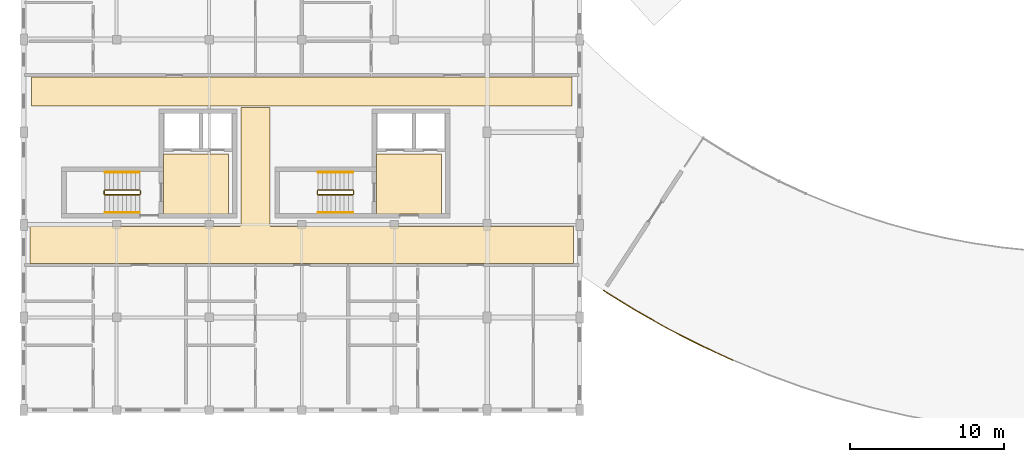
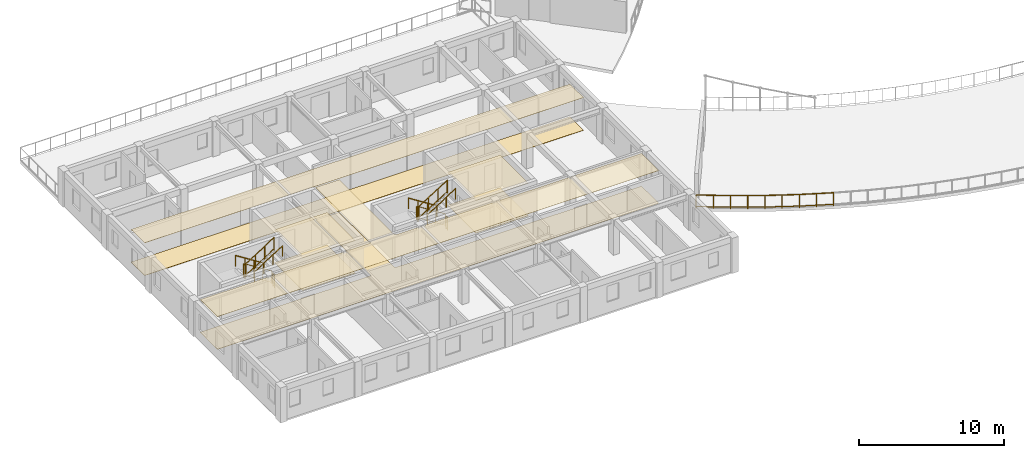
# One storey, part 49 of 58: 16 railings, 8 coverings.
"""IFC4 building model written with IfcOpenShell, lengths in metres."""

from ifc_helpers import new_model, si_unit, direction, frame, origin, origin_2d, place, context, subcontext, project, spatial, polyline, circle, outline, extrude, material, layer, layer_set, type_object, element, save


model = new_model("IFC4")

# Units and contexts
model_context = context("Model", 3, precision=1e-05, world=origin(), true_north=direction((0.0, 1.0)))
body_context = subcontext(model_context, "Body", "Model", "MODEL_VIEW")
ifc_project = project(units=[si_unit("LENGTHUNIT", "METRE"), si_unit("AREAUNIT", "SQUARE_METRE"), si_unit("VOLUMEUNIT", "CUBIC_METRE"), si_unit("PLANEANGLEUNIT", "RADIAN"), si_unit("MASSUNIT", "GRAM", prefix="KILO"), si_unit("POWERUNIT", "WATT"), si_unit("THERMODYNAMICTEMPERATUREUNIT", "KELVIN")], contexts=[model_context])

# Site, building, storey
site_placement = place(None, origin())
site = spatial("IfcSite", under=ifc_project, at=site_placement, CompositionType="ELEMENT")
building_placement = place(site_placement, origin())
building = spatial("IfcBuilding", under=site, at=building_placement, Name="Ruvembo Vaulted Housing Court", CompositionType="ELEMENT")
storey_placement = place(building_placement, frame((0.0, 0.0, 20.5)))
storey = spatial("IfcBuildingStorey", under=building, at=storey_placement, Name="L06", CompositionType="ELEMENT", Elevation=20.5)

# Coverings
ifc_material_1 = material(Name="Perforated Mineral-Fibre Acoustic Tile", Category="gypsum")
ifc_layer_1 = layer(ifc_material_1, 0.02001953125, Name="Perforated Mineral-Fibre Acoustic Tile")
ifc_layer_set_1 = layer_set([ifc_layer_1], Name="Perforated Mineral-Fibre Acoustic Tile")
covering_type_1 = type_object("IfcCoveringType", Name="COV-CEIL-ACOUST", PredefinedType="CEILING", material=ifc_layer_set_1)
covering_1_placement = place(storey_placement, frame((0.0, 0.0, 2.75)))
element("IfcCovering", 1, at=covering_1_placement, inside=storey, type_object=covering_type_1, Name="Firefighting Lift Lobby A1 Ceiling", PredefinedType="CEILING", context=body_context, shape_type="SweptSolid", body=[
    extrude(outline(polyline([(13.25, 22.60009765625), (9.050048828125, 22.60009765625), (9.050048828125, 18.699951171875), (13.25, 18.699951171875), (13.25, 22.60009765625)])), origin(), (0.0, 0.0, 1.0), 0.02001953125),
])
covering_2_placement = place(storey_placement, frame((0.0, 0.0, 2.75)))
element("IfcCovering", 2, at=covering_2_placement, inside=storey, type_object=covering_type_1, Name="Firefighting Lift Lobby A2 Ceiling", PredefinedType="CEILING", context=body_context, shape_type="SweptSolid", body=[
    extrude(outline(polyline([(27.050048828125, 22.60009765625), (22.85009765625, 22.60009765625), (22.85009765625, 18.699951171875), (27.050048828125, 18.699951171875), (27.050048828125, 22.60009765625)])), origin(), (0.0, 0.0, 1.0), 0.02001953125),
])
covering_3_placement = place(storey_placement, frame((0.0, 0.0, 2.75)))
element("IfcCovering", 3, at=covering_3_placement, inside=storey, type_object=covering_type_1, Name="Block A L06 Corridor Ceiling", PredefinedType="CEILING", context=body_context, shape_type="SweptSolid", body=[
    extrude(outline(polyline([(35.590087890625, 15.510009765625), (35.590087890625, 17.889892578125), (16.050048828125, 17.889892578125), (16.039306640625, 17.890380859375), (16.028564453125, 17.89208984375), (16.01806640625, 17.894775390625), (16.0078125, 17.8984375), (15.998046875, 17.903076171875), (15.989013671875, 17.908447265625), (15.980224609375, 17.9150390625), (15.97216796875, 17.922119140625), (15.965087890625, 17.93017578125), (15.95849609375, 17.93896484375), (15.952880859375, 17.947998046875), (15.948486328125, 17.9580078125), (15.944580078125, 17.968017578125), (15.942138671875, 17.978515625), (15.9404296875, 17.9892578125), (15.93994140625, 18.0), (15.93994140625, 25.590087890625), (14.06005859375, 25.590087890625), (14.06005859375, 18.0), (14.0595703125, 17.9892578125), (14.057861328125, 17.978515625), (14.055419921875, 17.968017578125), (14.051513671875, 17.9580078125), (14.047119140625, 17.947998046875), (14.04150390625, 17.93896484375), (14.034912109375, 17.93017578125), (14.02783203125, 17.922119140625), (14.019775390625, 17.9150390625), (14.010986328125, 17.908447265625), (14.001953125, 17.903076171875), (13.9921875, 17.8984375), (13.98193359375, 17.894775390625), (13.971435546875, 17.89208984375), (13.960693359375, 17.890380859375), (13.949951171875, 17.889892578125), (0.409912109375, 17.889892578125), (0.409912109375, 15.510009765625), (35.590087890625, 15.510009765625)])), origin(), (0.0, 0.0, 1.0), 0.02001953125),
])
covering_4_placement = place(storey_placement, frame((0.0, 0.0, 2.75)))
element("IfcCovering", 4, at=covering_4_placement, inside=storey, type_object=covering_type_1, Name="Block A L06 North Sub-Corridor Ceiling", PredefinedType="CEILING", context=body_context, shape_type="SweptSolid", body=[
    extrude(outline(polyline([(0.510009765625, 25.7099609375), (35.489990234375, 25.7099609375), (35.489990234375, 27.590087890625), (0.510009765625, 27.590087890625), (0.510009765625, 25.7099609375)])), origin(), (0.0, 0.0, 1.0), 0.02001953125),
])
ifc_material_2 = material(Name="Polished Cement-Aggregate Terrazzo", Category="stone")
ifc_layer_2 = layer(ifc_material_2, 0.02197265625, Name="Polished Cement-Aggregate Terrazzo")
ifc_layer_set_2 = layer_set([ifc_layer_2], Name="Polished Cement-Aggregate Terrazzo")
covering_type_2 = type_object("IfcCoveringType", Name="COV-FLR-CERAMIC", PredefinedType="FLOORING", material=ifc_layer_set_2)
covering_5_placement = place(storey_placement, origin())
element("IfcCovering", 5, at=covering_5_placement, inside=storey, type_object=covering_type_2, Name="Firefighting Lift Lobby A1 Flooring", PredefinedType="FLOORING", context=body_context, shape_type="SweptSolid", body=[
    extrude(outline(polyline([(13.25, 22.60009765625), (9.050048828125, 22.60009765625), (9.050048828125, 18.699951171875), (13.25, 18.699951171875), (13.25, 22.60009765625)])), origin(), (0.0, 0.0, 1.0), 0.02197265625),
])
covering_6_placement = place(storey_placement, origin())
element("IfcCovering", 6, at=covering_6_placement, inside=storey, type_object=covering_type_2, Name="Firefighting Lift Lobby A2 Flooring", PredefinedType="FLOORING", context=body_context, shape_type="SweptSolid", body=[
    extrude(outline(polyline([(27.050048828125, 22.60009765625), (22.85009765625, 22.60009765625), (22.85009765625, 18.699951171875), (27.050048828125, 18.699951171875), (27.050048828125, 22.60009765625)])), origin(), (0.0, 0.0, 1.0), 0.02197265625),
])
covering_7_placement = place(storey_placement, origin())
element("IfcCovering", 7, at=covering_7_placement, inside=storey, type_object=covering_type_2, Name="Block A L06 Corridor Flooring", PredefinedType="FLOORING", context=body_context, shape_type="SweptSolid", body=[
    extrude(outline(polyline([(35.590087890625, 15.510009765625), (35.590087890625, 17.889892578125), (16.050048828125, 17.889892578125), (16.039306640625, 17.890380859375), (16.028564453125, 17.89208984375), (16.01806640625, 17.894775390625), (16.0078125, 17.8984375), (15.998046875, 17.903076171875), (15.989013671875, 17.908447265625), (15.980224609375, 17.9150390625), (15.97216796875, 17.922119140625), (15.965087890625, 17.93017578125), (15.95849609375, 17.93896484375), (15.952880859375, 17.947998046875), (15.948486328125, 17.9580078125), (15.944580078125, 17.968017578125), (15.942138671875, 17.978515625), (15.9404296875, 17.9892578125), (15.93994140625, 18.0), (15.93994140625, 25.590087890625), (14.06005859375, 25.590087890625), (14.06005859375, 18.0), (14.0595703125, 17.9892578125), (14.057861328125, 17.978515625), (14.055419921875, 17.968017578125), (14.051513671875, 17.9580078125), (14.047119140625, 17.947998046875), (14.04150390625, 17.93896484375), (14.034912109375, 17.93017578125), (14.02783203125, 17.922119140625), (14.019775390625, 17.9150390625), (14.010986328125, 17.908447265625), (14.001953125, 17.903076171875), (13.9921875, 17.8984375), (13.98193359375, 17.894775390625), (13.971435546875, 17.89208984375), (13.960693359375, 17.890380859375), (13.949951171875, 17.889892578125), (0.409912109375, 17.889892578125), (0.409912109375, 15.510009765625), (35.590087890625, 15.510009765625)])), origin(), (0.0, 0.0, 1.0), 0.02197265625),
])
covering_8_placement = place(storey_placement, origin())
element("IfcCovering", 8, at=covering_8_placement, inside=storey, type_object=covering_type_2, Name="Block A L06 North Sub-Corridor Flooring", PredefinedType="FLOORING", context=body_context, shape_type="SweptSolid", body=[
    extrude(outline(polyline([(0.510009765625, 25.7099609375), (35.489990234375, 25.7099609375), (35.489990234375, 27.590087890625), (0.510009765625, 27.590087890625), (0.510009765625, 25.7099609375)])), origin(), (0.0, 0.0, 1.0), 0.02197265625),
])

# Railings
ifc_material_3 = material(Name="Galvanised Painted Steel and Laminated Glass", Category="steel")
ifc_layer_3 = layer(ifc_material_3, 0.070068359375, Name="Galvanised Painted Steel and Laminated Glass")
ifc_layer_set_3 = layer_set([ifc_layer_3], Name="Galvanised Painted Steel and Laminated Glass")
railing_type_1 = type_object("IfcRailingType", Name="RL-BALUST-1120", PredefinedType="BALUSTRADE", material=ifc_layer_set_3)
railing_1_placement = place(storey_placement, frame((45.906494140625, 9.232177734375, 0.0)))
element("IfcRailing", 9, at=railing_1_placement, inside=storey, type_object=railing_type_1, Name="L06 Perimeter Guard RL-EXT-L06-0550", PredefinedType="BALUSTRADE", context=body_context, shape_type="SweptSolid", body=[
    extrude(circle(Radius=0.02392578125, at=origin_2d()), frame((0.0, 0.0, 1.09619140625), z_axis=(-0.907655419738, 0.419716141004, 0.0), x_axis=(-0.419716141004, -0.907655419738, 0.0)), (0.0, 0.0, 1.0), 2.376220703125),
    extrude(circle(Radius=0.01806640625, at=origin_2d()), frame((0.0, 0.0, 0.1201171875), z_axis=(-0.907655419738, 0.419716141004, 0.0), x_axis=(-0.419716141004, -0.907655419738, 0.0)), (0.0, 0.0, 1.0), 2.376220703125),
    extrude(circle(Radius=0.02099609375, at=origin_2d()), origin(), (0.0, 0.0, 1.0), 1.072021484375),
    extrude(circle(Radius=0.02099609375, at=origin_2d()), frame((-1.078369140625, 0.49853515625, 0.0)), (0.0, 0.0, 1.0), 1.072021484375),
    extrude(circle(Radius=0.02099609375, at=origin_2d()), frame((-2.15673828125, 0.997314453125, 0.0)), (0.0, 0.0, 1.0), 1.072021484375),
])
railing_2_placement = place(storey_placement, frame((43.749755859375, 10.2294921875, 0.0)))
element("IfcRailing", 10, at=railing_2_placement, inside=storey, type_object=railing_type_1, Name="L06 Perimeter Guard RL-EXT-L06-0551", PredefinedType="BALUSTRADE", context=body_context, shape_type="SweptSolid", body=[
    extrude(circle(Radius=0.02392578125, at=origin_2d()), frame((0.0, 0.0, 1.09619140625), z_axis=(-0.889545575332, 0.456846439636, 0.0), x_axis=(-0.456846439636, -0.889545575332, 0.0)), (0.0, 0.0, 1.0), 2.3759765625),
    extrude(circle(Radius=0.01806640625, at=origin_2d()), frame((0.0, 0.0, 0.1201171875), z_axis=(-0.889545575332, 0.456846439636, 0.0), x_axis=(-0.456846439636, -0.889545575332, 0.0)), (0.0, 0.0, 1.0), 2.3759765625),
    extrude(circle(Radius=0.02099609375, at=origin_2d()), origin(), (0.0, 0.0, 1.0), 1.072021484375),
    extrude(circle(Radius=0.02099609375, at=origin_2d()), frame((-1.056640625, 0.542724609375, 0.0)), (0.0, 0.0, 1.0), 1.072021484375),
    extrude(circle(Radius=0.02099609375, at=origin_2d()), frame((-2.113525390625, 1.08544921875, 0.0)), (0.0, 0.0, 1.0), 1.072021484375),
])
railing_3_placement = place(storey_placement, frame((41.63623046875, 11.31494140625, 0.0)))
element("IfcRailing", 11, at=railing_3_placement, inside=storey, type_object=railing_type_1, Name="L06 Perimeter Guard RL-EXT-L06-0552", PredefinedType="BALUSTRADE", context=body_context, shape_type="SweptSolid", body=[
    extrude(circle(Radius=0.02392578125, at=origin_2d()), frame((0.0, 0.0, 1.09619140625), z_axis=(-0.869976640693, 0.493092937131, 0.0), x_axis=(-0.493092937131, -0.869976640693, 0.0)), (0.0, 0.0, 1.0), 2.3759765625),
    extrude(circle(Radius=0.01806640625, at=origin_2d()), frame((0.0, 0.0, 0.1201171875), z_axis=(-0.869976640693, 0.493092937131, 0.0), x_axis=(-0.493092937131, -0.869976640693, 0.0)), (0.0, 0.0, 1.0), 2.3759765625),
    extrude(circle(Radius=0.02099609375, at=origin_2d()), origin(), (0.0, 0.0, 1.0), 1.072021484375),
    extrude(circle(Radius=0.02099609375, at=origin_2d()), frame((-1.03369140625, 0.5859375, 0.0)), (0.0, 0.0, 1.0), 1.072021484375),
    extrude(circle(Radius=0.02099609375, at=origin_2d()), frame((-2.067138671875, 1.171630859375, 0.0)), (0.0, 0.0, 1.0), 1.072021484375),
])
railing_4_placement = place(storey_placement, frame((39.569091796875, 12.486572265625, 0.0)))
element("IfcRailing", 12, at=railing_4_placement, inside=storey, type_object=railing_type_1, Name="L06 Perimeter Guard RL-EXT-L06-0553", PredefinedType="BALUSTRADE", context=body_context, shape_type="SweptSolid", body=[
    extrude(circle(Radius=0.02392578125, at=origin_2d()), frame((0.0, 0.0, 1.09619140625), z_axis=(-0.848880379805, 0.528584998634, 0.0), x_axis=(-0.528584998634, -0.848880379805, 0.0)), (0.0, 0.0, 1.0), 2.3759765625),
    extrude(circle(Radius=0.01806640625, at=origin_2d()), frame((0.0, 0.0, 0.1201171875), z_axis=(-0.848880379805, 0.528584998634, 0.0), x_axis=(-0.528584998634, -0.848880379805, 0.0)), (0.0, 0.0, 1.0), 2.3759765625),
    extrude(circle(Radius=0.02099609375, at=origin_2d()), origin(), (0.0, 0.0, 1.0), 1.072021484375),
    extrude(circle(Radius=0.02099609375, at=origin_2d()), frame((-1.00830078125, 0.6279296875, 0.0)), (0.0, 0.0, 1.0), 1.072021484375),
    extrude(circle(Radius=0.02099609375, at=origin_2d()), frame((-2.016845703125, 1.255859375, 0.0)), (0.0, 0.0, 1.0), 1.072021484375),
])
ifc_material_4 = material(Name="Painted Galvanised Steel S275", Category="steel")
ifc_layer_4 = layer(ifc_material_4, 0.06005859375, Name="Painted Galvanised Steel S275")
ifc_layer_set_4 = layer_set([ifc_layer_4], Name="Painted Galvanised Steel S275")
railing_type_2 = type_object("IfcRailingType", Name="RL-STAIR-GR1100", PredefinedType="GUARDRAIL", material=ifc_layer_set_4)
railing_5_placement = place(storey_placement, frame((7.5, 20.25, 0.177734375)))
element("IfcRailing", 13, at=railing_5_placement, inside=storey, type_object=railing_type_2, Name="L06 ST-A1 stair guard 1", PredefinedType="GUARDRAIL", context=body_context, shape_type="SweptSolid", body=[
    extrude(circle(Radius=0.02392578125, at=origin_2d()), frame((0.0, 0.0, 1.076171875), z_axis=(-0.84418770128, 0.0, 0.536047689118), x_axis=(0.0, -1.0, 0.0)), (0.0, 0.0, 1.0), 2.6533203125),
    extrude(circle(Radius=0.01806640625, at=origin_2d()), frame((0.0, 0.0, 0.1201171875), z_axis=(-0.84418770128, 0.0, 0.536047689118), x_axis=(0.0, -1.0, 0.0)), (0.0, 0.0, 1.0), 2.6533203125),
    extrude(circle(Radius=0.02099609375, at=origin_2d()), origin(), (0.0, 0.0, 1.0), 1.052001953125),
    extrude(circle(Radius=0.02099609375, at=origin_2d()), frame((-0.74658203125, 0.0, 0.47412109375)), (0.0, 0.0, 1.0), 1.052001953125),
    extrude(circle(Radius=0.02099609375, at=origin_2d()), frame((-1.493408203125, 0.0, 0.9482421875)), (0.0, 0.0, 1.0), 1.052001953125),
    extrude(circle(Radius=0.02099609375, at=origin_2d()), frame((-2.239990234375, 0.0, 1.42236328125)), (0.0, 0.0, 1.0), 1.052001953125),
])
railing_6_placement = place(storey_placement, frame((5.2099609375, 20.199951171875, 1.60009765625)))
element("IfcRailing", 14, at=railing_6_placement, inside=storey, type_object=railing_type_2, Name="L06 ST-A1 stair guard 2", PredefinedType="GUARDRAIL", context=body_context, shape_type="SweptSolid", body=[
    extrude(circle(Radius=0.02392578125, at=origin_2d()), frame((0.0, 0.0, 1.076171875), z_axis=(0.0, -1.0, 0.0), x_axis=(1.0, 0.0, 0.0)), (0.0, 0.0, 1.0), 0.199951171875),
    extrude(circle(Radius=0.01806640625, at=origin_2d()), frame((0.0, 0.0, 0.1201171875), z_axis=(0.0, -1.0, 0.0), x_axis=(1.0, 0.0, 0.0)), (0.0, 0.0, 1.0), 0.199951171875),
    extrude(circle(Radius=0.02099609375, at=origin_2d()), origin(), (0.0, 0.0, 1.0), 1.052001953125),
    extrude(circle(Radius=0.02099609375, at=origin_2d()), frame((0.0, -0.199951171875, 0.0)), (0.0, 0.0, 1.0), 1.052001953125),
])
railing_7_placement = place(storey_placement, frame((5.260009765625, 19.949951171875, 1.77783203125)))
element("IfcRailing", 15, at=railing_7_placement, inside=storey, type_object=railing_type_2, Name="L06 ST-A1 stair guard 3", PredefinedType="GUARDRAIL", context=body_context, shape_type="SweptSolid", body=[
    extrude(circle(Radius=0.02392578125, at=origin_2d()), frame((0.0, 0.0, 1.076171875), z_axis=(0.8442293374, 0.0, 0.53598211339), x_axis=(0.0, 1.0, 0.0)), (0.0, 0.0, 1.0), 2.6533203125),
    extrude(circle(Radius=0.01806640625, at=origin_2d()), frame((0.0, 0.0, 0.1201171875), z_axis=(0.8442293374, 0.0, 0.53598211339), x_axis=(0.0, 1.0, 0.0)), (0.0, 0.0, 1.0), 2.6533203125),
    extrude(circle(Radius=0.02099609375, at=origin_2d()), origin(), (0.0, 0.0, 1.0), 1.052001953125),
    extrude(circle(Radius=0.02099609375, at=origin_2d()), frame((0.74658203125, 0.0, 0.47412109375)), (0.0, 0.0, 1.0), 1.052001953125),
    extrude(circle(Radius=0.02099609375, at=origin_2d()), frame((1.493408203125, 0.0, 0.947998046875)), (0.0, 0.0, 1.0), 1.052001953125),
    extrude(circle(Radius=0.02099609375, at=origin_2d()), frame((2.239990234375, 0.0, 1.422119140625)), (0.0, 0.0, 1.0), 1.052001953125),
])
railing_8_placement = place(storey_placement, frame((7.550048828125, 20.199951171875, 0.0)))
element("IfcRailing", 16, at=railing_8_placement, inside=storey, type_object=railing_type_2, Name="L06 ST-A1 stair guard 4", PredefinedType="GUARDRAIL", context=body_context, shape_type="SweptSolid", body=[
    extrude(circle(Radius=0.02392578125, at=origin_2d()), frame((0.0, 0.0, 1.076171875), z_axis=(0.0, -1.0, 0.0), x_axis=(1.0, 0.0, 0.0)), (0.0, 0.0, 1.0), 0.199951171875),
    extrude(circle(Radius=0.01806640625, at=origin_2d()), frame((0.0, 0.0, 0.1201171875), z_axis=(0.0, -1.0, 0.0), x_axis=(1.0, 0.0, 0.0)), (0.0, 0.0, 1.0), 0.199951171875),
    extrude(circle(Radius=0.02099609375, at=origin_2d()), origin(), (0.0, 0.0, 1.0), 1.052001953125),
    extrude(circle(Radius=0.02099609375, at=origin_2d()), frame((0.0, -0.199951171875, 0.0)), (0.0, 0.0, 1.0), 1.052001953125),
])
railing_9_placement = place(storey_placement, frame((21.300048828125, 20.25, 0.177734375)))
element("IfcRailing", 17, at=railing_9_placement, inside=storey, type_object=railing_type_2, Name="L06 ST-A2 stair guard 1", PredefinedType="GUARDRAIL", context=body_context, shape_type="SweptSolid", body=[
    extrude(circle(Radius=0.02392578125, at=origin_2d()), frame((0.0, 0.0, 1.076171875), z_axis=(-0.84418770128, 0.0, 0.536047689118), x_axis=(0.0, -1.0, 0.0)), (0.0, 0.0, 1.0), 2.6533203125),
    extrude(circle(Radius=0.01806640625, at=origin_2d()), frame((0.0, 0.0, 0.1201171875), z_axis=(-0.84418770128, 0.0, 0.536047689118), x_axis=(0.0, -1.0, 0.0)), (0.0, 0.0, 1.0), 2.6533203125),
    extrude(circle(Radius=0.02099609375, at=origin_2d()), origin(), (0.0, 0.0, 1.0), 1.052001953125),
    extrude(circle(Radius=0.02099609375, at=origin_2d()), frame((-0.74658203125, 0.0, 0.47412109375)), (0.0, 0.0, 1.0), 1.052001953125),
    extrude(circle(Radius=0.02099609375, at=origin_2d()), frame((-1.493408203125, 0.0, 0.9482421875)), (0.0, 0.0, 1.0), 1.052001953125),
    extrude(circle(Radius=0.02099609375, at=origin_2d()), frame((-2.239990234375, 0.0, 1.42236328125)), (0.0, 0.0, 1.0), 1.052001953125),
])
railing_10_placement = place(storey_placement, frame((19.010009765625, 20.199951171875, 1.60009765625)))
element("IfcRailing", 18, at=railing_10_placement, inside=storey, type_object=railing_type_2, Name="L06 ST-A2 stair guard 2", PredefinedType="GUARDRAIL", context=body_context, shape_type="SweptSolid", body=[
    extrude(circle(Radius=0.02392578125, at=origin_2d()), frame((0.0, 0.0, 1.076171875), z_axis=(0.0, -1.0, 0.0), x_axis=(1.0, 0.0, 0.0)), (0.0, 0.0, 1.0), 0.199951171875),
    extrude(circle(Radius=0.01806640625, at=origin_2d()), frame((0.0, 0.0, 0.1201171875), z_axis=(0.0, -1.0, 0.0), x_axis=(1.0, 0.0, 0.0)), (0.0, 0.0, 1.0), 0.199951171875),
    extrude(circle(Radius=0.02099609375, at=origin_2d()), origin(), (0.0, 0.0, 1.0), 1.052001953125),
    extrude(circle(Radius=0.02099609375, at=origin_2d()), frame((0.0, -0.199951171875, 0.0)), (0.0, 0.0, 1.0), 1.052001953125),
])
railing_11_placement = place(storey_placement, frame((19.06005859375, 19.949951171875, 1.77783203125)))
element("IfcRailing", 19, at=railing_11_placement, inside=storey, type_object=railing_type_2, Name="L06 ST-A2 stair guard 3", PredefinedType="GUARDRAIL", context=body_context, shape_type="SweptSolid", body=[
    extrude(circle(Radius=0.02392578125, at=origin_2d()), frame((0.0, 0.0, 1.076171875), z_axis=(0.8442293374, 0.0, 0.53598211339), x_axis=(0.0, 1.0, 0.0)), (0.0, 0.0, 1.0), 2.6533203125),
    extrude(circle(Radius=0.01806640625, at=origin_2d()), frame((0.0, 0.0, 0.1201171875), z_axis=(0.8442293374, 0.0, 0.53598211339), x_axis=(0.0, 1.0, 0.0)), (0.0, 0.0, 1.0), 2.6533203125),
    extrude(circle(Radius=0.02099609375, at=origin_2d()), origin(), (0.0, 0.0, 1.0), 1.052001953125),
    extrude(circle(Radius=0.02099609375, at=origin_2d()), frame((0.74658203125, 0.0, 0.47412109375)), (0.0, 0.0, 1.0), 1.052001953125),
    extrude(circle(Radius=0.02099609375, at=origin_2d()), frame((1.493408203125, 0.0, 0.947998046875)), (0.0, 0.0, 1.0), 1.052001953125),
    extrude(circle(Radius=0.02099609375, at=origin_2d()), frame((2.239990234375, 0.0, 1.422119140625)), (0.0, 0.0, 1.0), 1.052001953125),
])
railing_12_placement = place(storey_placement, frame((21.35009765625, 20.199951171875, 0.0)))
element("IfcRailing", 20, at=railing_12_placement, inside=storey, type_object=railing_type_2, Name="L06 ST-A2 stair guard 4", PredefinedType="GUARDRAIL", context=body_context, shape_type="SweptSolid", body=[
    extrude(circle(Radius=0.02392578125, at=origin_2d()), frame((0.0, 0.0, 1.076171875), z_axis=(0.0, -1.0, 0.0), x_axis=(1.0, 0.0, 0.0)), (0.0, 0.0, 1.0), 0.199951171875),
    extrude(circle(Radius=0.01806640625, at=origin_2d()), frame((0.0, 0.0, 0.1201171875), z_axis=(0.0, -1.0, 0.0), x_axis=(1.0, 0.0, 0.0)), (0.0, 0.0, 1.0), 0.199951171875),
    extrude(circle(Radius=0.02099609375, at=origin_2d()), origin(), (0.0, 0.0, 1.0), 1.052001953125),
    extrude(circle(Radius=0.02099609375, at=origin_2d()), frame((0.0, -0.199951171875, 0.0)), (0.0, 0.0, 1.0), 1.052001953125),
])
ifc_material_5 = material(Name="Brushed Stainless Steel 304", Category="steel")
ifc_layer_5 = layer(ifc_material_5, 0.050048828125, Name="Brushed Stainless Steel 304")
ifc_layer_set_5 = layer_set([ifc_layer_5], Name="Brushed Stainless Steel 304")
railing_type_3 = type_object("IfcRailingType", Name="RL-STAIR-HR920", PredefinedType="HANDRAIL", material=ifc_layer_set_5)
railing_13_placement = place(storey_placement, frame((7.5, 21.39990234375, 0.359375)))
element("IfcRailing", 21, at=railing_13_placement, inside=storey, type_object=railing_type_3, Name="L06 ST-A1 stair handrail 1", PredefinedType="HANDRAIL", context=body_context, shape_type="SweptSolid", body=[
    extrude(circle(Radius=0.02392578125, at=origin_2d()), frame((0.0, 0.0, 0.8759765625), z_axis=(-0.8442293374, 0.0, 0.53598211339), x_axis=(0.0, -1.0, 0.0)), (0.0, 0.0, 1.0), 2.6533203125),
    extrude(circle(Radius=0.02099609375, at=origin_2d()), origin(), (0.0, 0.0, 1.0), 0.851806640625),
    extrude(circle(Radius=0.02099609375, at=origin_2d()), frame((-0.74658203125, 0.0, 0.47412109375)), (0.0, 0.0, 1.0), 0.851806640625),
    extrude(circle(Radius=0.02099609375, at=origin_2d()), frame((-1.493408203125, 0.0, 0.947998046875)), (0.0, 0.0, 1.0), 0.851806640625),
    extrude(circle(Radius=0.02099609375, at=origin_2d()), frame((-2.239990234375, 0.0, 1.422119140625)), (0.0, 0.0, 1.0), 0.851806640625),
])
railing_14_placement = place(storey_placement, frame((5.260009765625, 18.800048828125, 1.959228515625)))
element("IfcRailing", 22, at=railing_14_placement, inside=storey, type_object=railing_type_3, Name="L06 ST-A1 stair handrail 2", PredefinedType="HANDRAIL", context=body_context, shape_type="SweptSolid", body=[
    extrude(circle(Radius=0.02392578125, at=origin_2d()), frame((0.0, 0.0, 0.8759765625), z_axis=(0.84418770128, 0.0, 0.536047689118), x_axis=(0.0, 1.0, 0.0)), (0.0, 0.0, 1.0), 2.6533203125),
    extrude(circle(Radius=0.02099609375, at=origin_2d()), origin(), (0.0, 0.0, 1.0), 0.851806640625),
    extrude(circle(Radius=0.02099609375, at=origin_2d()), frame((0.74658203125, 0.0, 0.47412109375)), (0.0, 0.0, 1.0), 0.851806640625),
    extrude(circle(Radius=0.02099609375, at=origin_2d()), frame((1.493408203125, 0.0, 0.9482421875)), (0.0, 0.0, 1.0), 0.851806640625),
    extrude(circle(Radius=0.02099609375, at=origin_2d()), frame((2.239990234375, 0.0, 1.42236328125)), (0.0, 0.0, 1.0), 0.851806640625),
])
railing_15_placement = place(storey_placement, frame((21.300048828125, 21.39990234375, 0.359375)))
element("IfcRailing", 23, at=railing_15_placement, inside=storey, type_object=railing_type_3, Name="L06 ST-A2 stair handrail 1", PredefinedType="HANDRAIL", context=body_context, shape_type="SweptSolid", body=[
    extrude(circle(Radius=0.02392578125, at=origin_2d()), frame((0.0, 0.0, 0.8759765625), z_axis=(-0.8442293374, 0.0, 0.53598211339), x_axis=(0.0, -1.0, 0.0)), (0.0, 0.0, 1.0), 2.6533203125),
    extrude(circle(Radius=0.02099609375, at=origin_2d()), origin(), (0.0, 0.0, 1.0), 0.851806640625),
    extrude(circle(Radius=0.02099609375, at=origin_2d()), frame((-0.74658203125, 0.0, 0.47412109375)), (0.0, 0.0, 1.0), 0.851806640625),
    extrude(circle(Radius=0.02099609375, at=origin_2d()), frame((-1.493408203125, 0.0, 0.947998046875)), (0.0, 0.0, 1.0), 0.851806640625),
    extrude(circle(Radius=0.02099609375, at=origin_2d()), frame((-2.239990234375, 0.0, 1.422119140625)), (0.0, 0.0, 1.0), 0.851806640625),
])
railing_16_placement = place(storey_placement, frame((19.06005859375, 18.800048828125, 1.959228515625)))
element("IfcRailing", 24, at=railing_16_placement, inside=storey, type_object=railing_type_3, Name="L06 ST-A2 stair handrail 2", PredefinedType="HANDRAIL", context=body_context, shape_type="SweptSolid", body=[
    extrude(circle(Radius=0.02392578125, at=origin_2d()), frame((0.0, 0.0, 0.8759765625), z_axis=(0.84418770128, 0.0, 0.536047689118), x_axis=(0.0, 1.0, 0.0)), (0.0, 0.0, 1.0), 2.6533203125),
    extrude(circle(Radius=0.02099609375, at=origin_2d()), origin(), (0.0, 0.0, 1.0), 0.851806640625),
    extrude(circle(Radius=0.02099609375, at=origin_2d()), frame((0.74658203125, 0.0, 0.47412109375)), (0.0, 0.0, 1.0), 0.851806640625),
    extrude(circle(Radius=0.02099609375, at=origin_2d()), frame((1.493408203125, 0.0, 0.9482421875)), (0.0, 0.0, 1.0), 0.851806640625),
    extrude(circle(Radius=0.02099609375, at=origin_2d()), frame((2.239990234375, 0.0, 1.42236328125)), (0.0, 0.0, 1.0), 0.851806640625),
])

save(model, "model.ifc")
